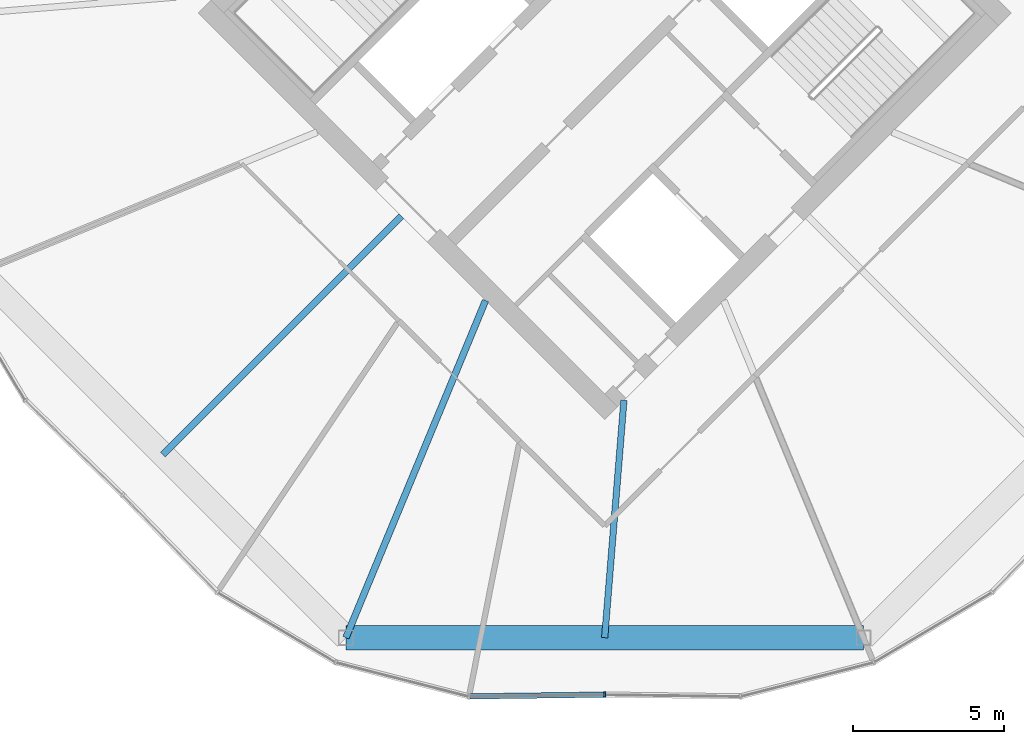
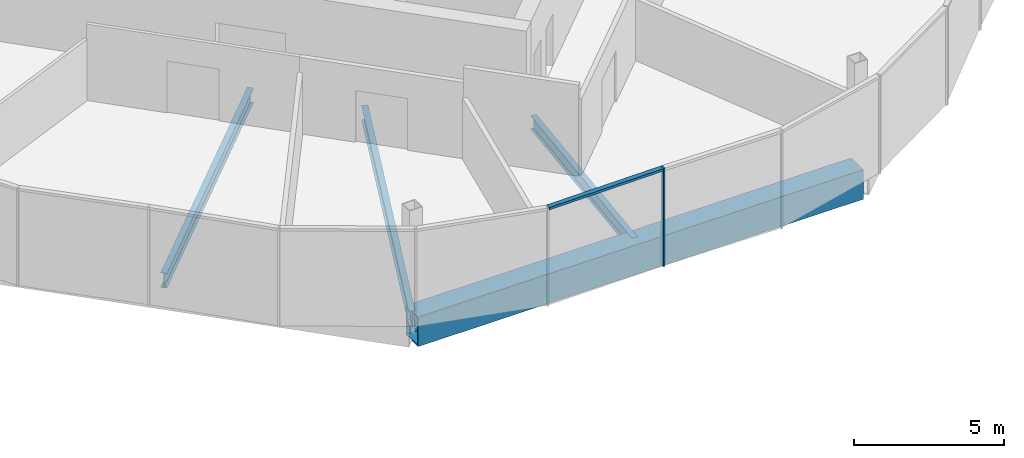
# One storey, part 12 of 25: 4 beams, 2 members, 1 element without a shape of its own.
"""IFC4 building model written with IfcOpenShell, lengths in metres."""

from ifc_helpers import new_model, si_unit, direction, frame, origin, origin_2d, place, context, subcontext, project, spatial, rectangle, hollow_rectangle, i_section, extrude, material, material_profile, profile_set, type_object, element, aggregate, save


model = new_model("IFC4")

# Units and contexts
model_context = context("Model", 3, precision=1e-05, world=origin(), true_north=direction((0.0, 1.0)))
body_context = subcontext(model_context, "Body", "Model", "MODEL_VIEW")
ifc_project = project(units=[si_unit("LENGTHUNIT", "METRE"), si_unit("AREAUNIT", "SQUARE_METRE"), si_unit("VOLUMEUNIT", "CUBIC_METRE"), si_unit("PLANEANGLEUNIT", "RADIAN"), si_unit("MASSUNIT", "GRAM", prefix="KILO")], contexts=[model_context])

# Site, building, storey
site_placement = place(None, origin())
site = spatial("IfcSite", under=ifc_project, at=site_placement, CompositionType="ELEMENT")
building_placement = place(site_placement, origin())
building = spatial("IfcBuilding", under=site, at=building_placement, Name="Ogive Gate Towers", CompositionType="ELEMENT")
storey_placement = place(building_placement, frame((0.0, 0.0, 152.800048828125)))
storey = spatial("IfcBuildingStorey", under=building, at=storey_placement, Name="L36", CompositionType="ELEMENT", Elevation=152.800048828125)

# Beams
ifc_material_1 = material(Name="Steel SM460", Category="steel")
ifc_material_profile_1 = material_profile(ifc_material_1, hollow_rectangle(XDim=0.800048828125, YDim=1.199951171875, WallThickness=0.050048828125, at=origin_2d()), Name="BX 1200x800x50")
ifc_profile_set_1 = profile_set([ifc_material_profile_1], Name="Steel SM460")
beam_type_1 = type_object("IfcBeamType", Name="Edge girder BX 1200x800x50", PredefinedType="BEAM", material=ifc_profile_set_1)
beam_1_placement = place(storey_placement, frame((27.450927734375, -20.639404296875, -0.900146484375), z_axis=(1.0, 0.0, 0.0), x_axis=(0.0, 1.0, 0.0)))
element("IfcBeam", 1, at=beam_1_placement, inside=storey, type_object=beam_type_1, Name="T2/L36/SBM018", PredefinedType="BEAM", context=body_context, shape_type="SweptSolid", body=[
    extrude(hollow_rectangle(XDim=0.800048828125, YDim=1.199951171875, WallThickness=0.050048828125, at=origin_2d()), origin(), (0.0, 0.0, 1.0), 17.09814453125),
])
ifc_material_2 = material(Name="Steel SM355", Category="steel")
ifc_material_profile_2 = material_profile(ifc_material_2, i_section(OverallWidth=0.2099609375, OverallDepth=0.550048828125, WebThickness=0.010986328125, FlangeThickness=0.01708984375, FilletRadius=0.02392578125, at=origin_2d()), Name="IPE 550")
ifc_profile_set_2 = profile_set([ifc_material_profile_2], Name="Steel SM355")
beam_type_2 = type_object("IfcBeamType", Name="Radial floor beam IPE 550", PredefinedType="BEAM", material=ifc_profile_set_2)
beam_2_placement = place(storey_placement, frame((36.636474609375, -12.798583984375, -0.574951171875), z_axis=(-0.080908365468, -0.996721544062, 0.0), x_axis=(0.996721544062, -0.080908365468, 0.0)))
element("IfcBeam", 2, at=beam_2_placement, inside=storey, type_object=beam_type_2, Name="T2/L36/SBM004", PredefinedType="BEAM", context=body_context, shape_type="SweptSolid", body=[
    extrude(i_section(OverallWidth=0.2099609375, OverallDepth=0.550048828125, WebThickness=0.010986328125, FlangeThickness=0.01708984375, FilletRadius=0.02392578125, at=origin_2d()), origin(), (0.0, 0.0, 1.0), 7.86669921875),
])
ifc_material_profile_3 = material_profile(ifc_material_2, i_section(OverallWidth=0.219970703125, OverallDepth=0.60009765625, WebThickness=0.011962890625, FlangeThickness=0.01904296875, FilletRadius=0.02392578125, at=origin_2d()), Name="IPE 600")
ifc_profile_set_3 = profile_set([ifc_material_profile_3], Name="Steel SM355")
beam_type_3 = type_object("IfcBeamType", Name="Radial floor beam IPE 600", PredefinedType="BEAM", material=ifc_profile_set_3)
beam_3_placement = place(storey_placement, frame((29.282470703125, -6.717529296875, -0.60009765625), z_axis=(-0.707106781187, -0.707106781187, 0.0), x_axis=(0.707106781187, -0.707106781187, 0.0)))
element("IfcBeam", 3, at=beam_3_placement, inside=storey, type_object=beam_type_3, Name="T2/L36/SBM002", PredefinedType="BEAM", context=body_context, shape_type="SweptSolid", body=[
    extrude(i_section(OverallWidth=0.219970703125, OverallDepth=0.60009765625, WebThickness=0.011962890625, FlangeThickness=0.01904296875, FilletRadius=0.02392578125, at=origin_2d()), origin(), (0.0, 0.0, 1.0), 11.139404296875),
])
beam_4_placement = place(storey_placement, frame((32.06494140625, -9.5, -0.60009765625), z_axis=(-0.382677863518, -0.923881839184, 0.0), x_axis=(0.923881839184, -0.382677863518, 0.0)))
element("IfcBeam", 4, at=beam_4_placement, inside=storey, type_object=beam_type_3, Name="T2/L36/SBM003", PredefinedType="BEAM", context=body_context, shape_type="SweptSolid", body=[
    extrude(i_section(OverallWidth=0.219970703125, OverallDepth=0.60009765625, WebThickness=0.011962890625, FlangeThickness=0.01904296875, FilletRadius=0.02392578125, at=origin_2d()), origin(), (0.0, 0.0, 1.0), 12.05712890625),
])

# Curtain wall, members
ifc_material_3 = material(Name="Pale metal aluminium", Category="aluminium")
curtain_wall_type = type_object("IfcCurtainWallType", Name="Tower unitised wall, high zone", PredefinedType="NOTDEFINED", material=ifc_material_3)
curtain_wall_placement = place(storey_placement, origin())
curtain_wall = element("IfcCurtainWall", 5, at=curtain_wall_placement, inside=storey, type_object=curtain_wall_type, Name="CW2 T2 ECW06", PredefinedType="NOTDEFINED")
ifc_material_profile_4 = material_profile(ifc_material_3, rectangle(XDim=0.179931640625, YDim=0.06005859375, at=origin_2d()), Name="60 x 180 aluminium box")
ifc_profile_set_4 = profile_set([ifc_material_profile_4], Name="Pale metal aluminium")
member_type_1 = type_object("IfcMemberType", Name="Tower unitised wall, high zone mullion 60 x 180", PredefinedType="MULLION", material=ifc_profile_set_4)
member_1_placement = place(storey_placement, frame((36.0, -22.52001953125, -0.300048828125), z_axis=(0.0, 0.0, 1.0), x_axis=(0.013281565099, -0.999911796124, 0.0)))
member_1 = element("IfcMember", 6, at=member_1_placement, type_object=member_type_1, Name="CW2 mullion", PredefinedType="MULLION", context=body_context, shape_type="SweptSolid", body=[
    extrude(rectangle(XDim=0.179931640625, YDim=0.06005859375, at=origin_2d()), origin(), (0.0, 0.0, 1.0), 4.0),
])
ifc_material_profile_5 = material_profile(ifc_material_3, rectangle(XDim=0.179931640625, YDim=0.10009765625, at=origin_2d()), Name="100 x 180 aluminium box")
ifc_profile_set_5 = profile_set([ifc_material_profile_5], Name="Pale metal aluminium")
member_type_2 = type_object("IfcMemberType", Name="Tower unitised wall, high zone transom 100 x 180", PredefinedType="USERDEFINED", material=ifc_profile_set_5)
member_2_placement = place(storey_placement, frame((31.54443359375, -22.5791015625, 3.64990234375), z_axis=(0.999912363802, 0.013238758058, 0.0), x_axis=(-0.013238758058, 0.999912363802, 0.0)))
member_2 = element("IfcMember", 7, at=member_2_placement, type_object=member_type_2, Name="CW2 transom", ObjectType="TRANSOM", PredefinedType="USERDEFINED", context=body_context, shape_type="SweptSolid", body=[
    extrude(rectangle(XDim=0.179931640625, YDim=0.10009765625, at=origin_2d()), origin(), (0.0, 0.0, 1.0), 4.426025390625),
])
aggregate(curtain_wall, [member_1, member_2])

save(model, "model.ifc")
